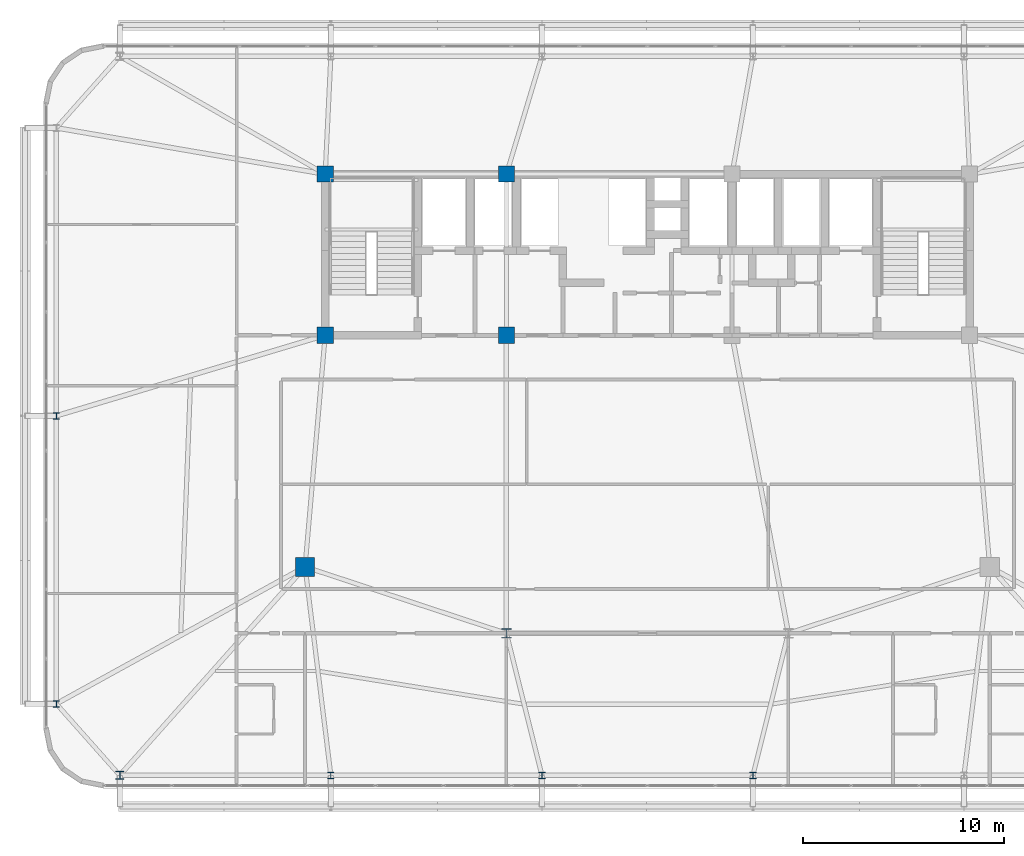
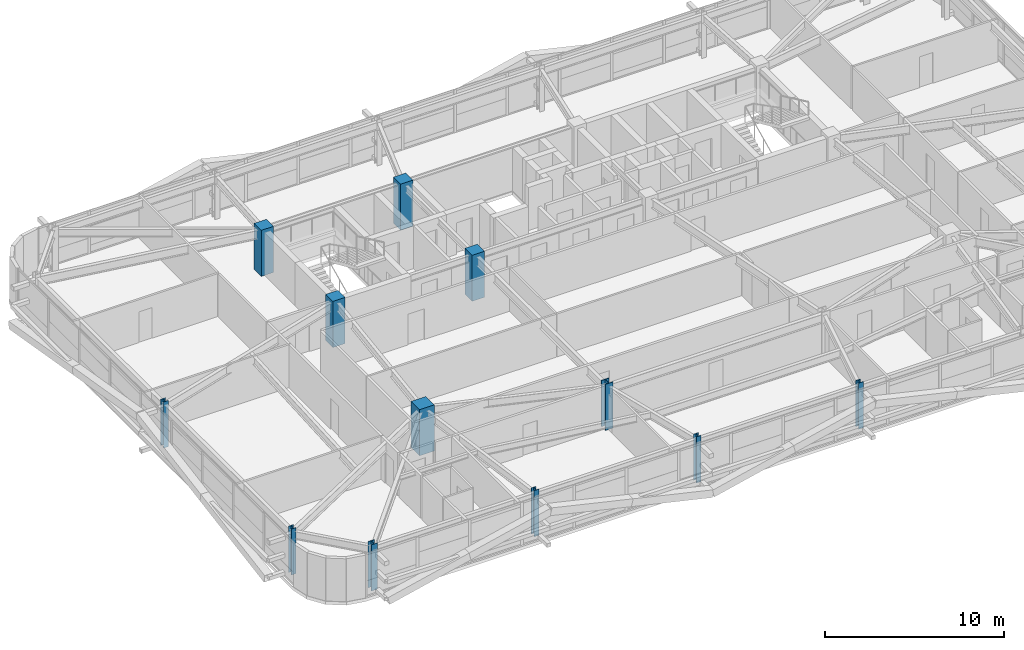
# One storey, part 1 of 59: 12 columns.
"""IFC4 building model written with IfcOpenShell, lengths in metres."""

import ifcopenshell
import ifcopenshell.guid

model = None  # the IFC model being written
_history = None  # IfcOwnerHistory: only IFC2X3 demands one
_inside = {}  # id of a spatial element -> (the spatial element, [elements in it])
_under = {}  # id of a project, library or spatial element -> (it, [spatial elements below it])
_declared = {}  # id of a project -> (the project, [libraries it declares])
_typed = {}  # id of a type object -> (the type object, [elements of that type])
_made_of = {}  # id of a material, layer set ... -> (it, [elements and type objects made of it])


def new_model(schema):
    """Start an empty IFC model of exactly this schema.

    Asked for "IFC4X3", IfcOpenShell would pick the latest addendum, in which some entities
    have other attributes; the version numbers below select the first issue.
    IFC2X3 requires an IfcOwnerHistory on every rooted entity: one is made here for all.
    """
    global model, _history
    if schema == "IFC4X3":
        model = ifcopenshell.file(schema_version=(4, 3, 0, 0))
    else:
        model = ifcopenshell.file(schema=schema)
    _inside.clear()
    _under.clear()
    _declared.clear()
    _typed.clear()
    _made_of.clear()
    _history = None
    if model.schema == "IFC2X3":
        org = make("IfcOrganization", Name="unknown")
        user = make(
            "IfcPersonAndOrganization",
            ThePerson=make("IfcPerson", FamilyName="unknown"),
            TheOrganization=org,
        )
        app = make(
            "IfcApplication",
            ApplicationDeveloper=org,
            Version="unknown",
            ApplicationFullName="unknown",
            ApplicationIdentifier="unknown",
        )
        _history = make(
            "IfcOwnerHistory",
            OwningUser=user,
            OwningApplication=app,
            ChangeAction="ADDED",
            CreationDate=0,
        )
    return model


def make(cls, **values):
    """One entity of the class cls with the attributes given. An attribute that is None is left unset."""
    return model.create_entity(
        cls, **{name: value for name, value in values.items() if value is not None}
    )


def rooted(cls, **values):
    """An entity with a GlobalId (a new one), such as an element, a storey or a relation."""
    return make(cls, GlobalId=ifcopenshell.guid.new(), OwnerHistory=_history, **values)


def si_unit(unit_type, name, prefix=None):
    """IfcSIUnit, for example si_unit("LENGTHUNIT", "METRE", prefix="MILLI")."""
    return make("IfcSIUnit", UnitType=unit_type, Prefix=prefix, Name=name)


def assignment(units):
    """IfcUnitAssignment: the units of a project."""
    return None if units is None else make("IfcUnitAssignment", Units=units)


def point(xyz):
    """IfcCartesianPoint."""
    return None if xyz is None else make("IfcCartesianPoint", Coordinates=xyz)


def direction(xyz):
    """IfcDirection."""
    return None if xyz is None else make("IfcDirection", DirectionRatios=xyz)


def frame(location, z_axis=None, x_axis=None):
    """IfcAxis2Placement3D, a coordinate frame: its origin and axes. An axis left out is left unset."""
    return make(
        "IfcAxis2Placement3D",
        Location=point(location),
        Axis=direction(z_axis),
        RefDirection=direction(x_axis),
    )


def frame_2d(location, x_axis=None):
    """IfcAxis2Placement2D, a coordinate frame in the plane: its origin and x axis."""
    return make(
        "IfcAxis2Placement2D", Location=point(location), RefDirection=direction(x_axis)
    )


def origin():
    """The frame at (0, 0, 0) with its axes left unset."""
    return frame((0.0, 0.0, 0.0))


def origin_2d():
    """The frame at (0, 0) in the plane with its x axis left unset."""
    return frame_2d((0.0, 0.0))


def place(relative_to, where):
    """IfcLocalPlacement: puts the frame where relative to a parent placement (None: the world)."""
    return make(
        "IfcLocalPlacement", PlacementRelTo=relative_to, RelativePlacement=where
    )


def context(
    kind, dimensions, precision=None, world=None, true_north=None, identifier=None
):
    """IfcGeometricRepresentationContext, for example the 3D "Model" context."""
    return make(
        "IfcGeometricRepresentationContext",
        ContextIdentifier=identifier,
        ContextType=kind,
        CoordinateSpaceDimension=dimensions,
        Precision=precision,
        WorldCoordinateSystem=world,
        TrueNorth=true_north,
    )


def subcontext(parent, identifier, kind, view, scale=None):
    """IfcGeometricRepresentationSubContext, for example "Body" below "Model"."""
    return make(
        "IfcGeometricRepresentationSubContext",
        ContextIdentifier=identifier,
        ContextType=kind,
        ParentContext=parent,
        TargetScale=scale,
        TargetView=view,
    )


def project(units=None, contexts=None):
    """IfcProject with its units and contexts."""
    return rooted(
        "IfcProject",
        Name="project",
        RepresentationContexts=contexts,
        UnitsInContext=assignment(units),
    )


def spatial(cls, under=None, at=None, **own):
    """A site, building, storey or space (cls), placed at a placement, below another one or the project."""
    s = rooted(cls, ObjectPlacement=at, **own)
    if under is not None:
        _under.setdefault(under.id(), (under, []))[1].append(s)
    return s


def profile(cls, at=None, kind="AREA", **sizes):
    """A parametric profile (cls). Its sizes go by their IFC names, for example OverallWidth=200.0."""
    return make(cls, ProfileType=kind, Position=at, **sizes)


def rectangle(**sizes):
    """IfcRectangleProfileDef."""
    return profile("IfcRectangleProfileDef", **sizes)


def i_section(**sizes):
    """IfcIShapeProfileDef."""
    return profile("IfcIShapeProfileDef", **sizes)


def extrude(swept, where, along, depth):
    """IfcExtrudedAreaSolid: the profile swept, set in the frame where, extruded along a direction by depth."""
    return make(
        "IfcExtrudedAreaSolid",
        SweptArea=swept,
        Position=where,
        ExtrudedDirection=direction(along),
        Depth=depth,
    )


def shape(context_of_items, identifier, shape_type, items):
    """IfcShapeRepresentation: the items that make up one representation, for example the "Body"."""
    return make(
        "IfcShapeRepresentation",
        ContextOfItems=context_of_items,
        RepresentationIdentifier=identifier,
        RepresentationType=shape_type,
        Items=items,
    )


def source(mapping_origin, context_of_items, identifier, shape_type, items):
    """IfcRepresentationMap: a shape defined once, which mapped items show again and again."""
    return make(
        "IfcRepresentationMap",
        MappingOrigin=mapping_origin,
        MappedRepresentation=shape(context_of_items, identifier, shape_type, items),
    )


def transform(
    local_origin,
    x_axis=None,
    y_axis=None,
    z_axis=None,
    scale=None,
    scale2=None,
    scale3=None,
    uniform=True,
):
    """IfcCartesianTransformationOperator3D, or its non-uniform kind. x_axis, y_axis, z_axis: its Axis1, 2, 3."""
    if uniform:
        return make(
            "IfcCartesianTransformationOperator3D",
            Axis1=direction(x_axis),
            Axis2=direction(y_axis),
            LocalOrigin=point(local_origin),
            Scale=scale,
            Axis3=direction(z_axis),
        )
    return make(
        "IfcCartesianTransformationOperator3DnonUniform",
        Axis1=direction(x_axis),
        Axis2=direction(y_axis),
        LocalOrigin=point(local_origin),
        Scale=scale,
        Axis3=direction(z_axis),
        Scale2=scale2,
        Scale3=scale3,
    )


def mapped(mapping_source, mapping_target):
    """IfcMappedItem: shows the shape of a source again, moved by a transform."""
    return make(
        "IfcMappedItem", MappingSource=mapping_source, MappingTarget=mapping_target
    )


def material(Name=None, Category=None):
    """IfcMaterial."""
    return make("IfcMaterial", Name=Name, Category=Category)


def material_profile(
    of_material, cross_section, Name=None, Category=None, Priority=None
):
    """IfcMaterialProfile: a cross section and its material."""
    return make(
        "IfcMaterialProfile",
        Name=Name,
        Material=of_material,
        Profile=cross_section,
        Priority=Priority,
        Category=Category,
    )


def profile_set(profiles, Name=None, composite=None):
    """IfcMaterialProfileSet."""
    return make(
        "IfcMaterialProfileSet",
        Name=Name,
        MaterialProfiles=profiles,
        CompositeProfile=composite,
    )


def made_of(thing, what):
    """Note that an element or type object is made of a material, layer set ...; save() writes the relation."""
    if what is not None:
        _made_of.setdefault(what.id(), (what, []))[1].append(thing)
    return thing


def type_object(cls, material=None, **own):
    """A type object (cls), such as IfcWallType, which elements share."""
    return made_of(rooted(cls, **own), material)


def element(
    cls,
    number,
    at=None,
    inside=None,
    cuts=None,
    type_object=None,
    material=None,
    context=None,
    identifier="Body",
    shape_type=None,
    held_by="IfcProductDefinitionShape",
    body=None,
    shapes=None,
    **own,
):
    """One element of the class cls, such as IfcWall. Its Tag is "e" and its number.

    at: its placement. inside: the storey or other place that contains it. cuts: it is an
    opening in that element (IfcRelVoidsElement). A single representation is given by context,
    identifier, shape_type and body (its items); several are given by shapes. held_by: the class
    of the entity that holds the representations. save() writes the other relations.
    """
    e = rooted(cls, Tag="e%d" % number, ObjectPlacement=at, **own)
    if body is not None:
        shapes = [shape(context, identifier, shape_type, body)]
    if shapes is not None:
        e.Representation = make(held_by, Representations=shapes)
    if inside is not None:
        _inside.setdefault(inside.id(), (inside, []))[1].append(e)
    if cuts is not None:
        rooted(
            "IfcRelVoidsElement", RelatingBuildingElement=cuts, RelatedOpeningElement=e
        )
    if type_object is not None:
        _typed.setdefault(type_object.id(), (type_object, []))[1].append(e)
    return made_of(e, material)


def aggregate(whole, parts):
    """IfcRelAggregates: a whole, such as a stair, and the parts it consists of."""
    return rooted("IfcRelAggregates", RelatingObject=whole, RelatedObjects=parts)


def save(model, path):
    """Write the relations noted so far, then the file.

    IfcRelAggregates (storeys below a building ...), IfcRelContainedInSpatialStructure (elements
    in a storey), IfcRelDefinesByType, IfcRelAssociatesMaterial and IfcRelDeclares: one each for
    every whole, place, type object, material and project.
    """
    for whole, parts in _under.values():
        aggregate(whole, parts)
    for where, things in _inside.values():
        rooted(
            "IfcRelContainedInSpatialStructure",
            RelatedElements=things,
            RelatingStructure=where,
        )
    for kind, things in _typed.values():
        rooted("IfcRelDefinesByType", RelatedObjects=things, RelatingType=kind)
    for what, things in _made_of.values():
        rooted("IfcRelAssociatesMaterial", RelatedObjects=things, RelatingMaterial=what)
    for by, libraries in _declared.values():
        rooted("IfcRelDeclares", RelatingContext=by, RelatedDefinitions=libraries)
    model.write(path)


model = new_model("IFC4")

# Units and contexts
model_context = context("Model", 3, precision=1e-05, world=origin(), true_north=direction((0.0, 1.0)))
body_context = subcontext(model_context, "Body", "Model", "MODEL_VIEW")
ifc_project = project(units=[si_unit("LENGTHUNIT", "METRE"), si_unit("AREAUNIT", "SQUARE_METRE"), si_unit("VOLUMEUNIT", "CUBIC_METRE"), si_unit("PLANEANGLEUNIT", "RADIAN"), si_unit("MASSUNIT", "GRAM", prefix="KILO")], contexts=[model_context])

# Site, building, storey
site_placement = place(None, origin())
site = spatial("IfcSite", under=ifc_project, at=site_placement, CompositionType="ELEMENT")
building_placement = place(site_placement, origin())
building = spatial("IfcBuilding", under=site, at=building_placement, Name="Taldren Reach Tower", CompositionType="ELEMENT")
storey_placement = place(building_placement, frame((0.0, 0.0, 29.39990234375)))
storey = spatial("IfcBuildingStorey", under=building, at=storey_placement, Name="L08", CompositionType="ELEMENT", Elevation=29.39990234375)

# Columns
ifc_material_1 = material(Name="Concrete S65 (65 MPa)", Category="concrete")
ifc_material_profile_1 = material_profile(ifc_material_1, rectangle(XDim=0.800048828125, YDim=0.800048828125, at=origin_2d()), Name="RC-800x800")
ifc_profile_set_1 = profile_set([ifc_material_profile_1], Name="Concrete S65 (65 MPa)")
column_type_1 = type_object("IfcColumnType", Name="COL-RC800", PredefinedType="COLUMN", material=ifc_profile_set_1)
shared_shape_1 = source(origin(), body_context, "Body", "SweptSolid", [
    extrude(rectangle(XDim=0.800048828125, YDim=0.800048828125, at=origin_2d()), origin(), (0.0, 0.0, 1.0), 3.150146484375),
])
for number, where, z_axis, x_axis, name in (
    (1, (19.0, 24.0, 0.0), (0.0, 0.0, 1.0), (1.0, 0.0, 0.0), "Mega column MC-C1 L08"),
    (2, (28.0, 24.0, 0.0), (0.0, 0.0, 1.0), (1.0, 0.0, 0.0), "Mega column MC-C2 L08"),
    (3, (19.0, 32.0, 0.0), (0.0, 0.0, 1.0), (1.0, 0.0, 0.0), "Mega column MC-C5 L08"),
    (4, (28.0, 32.0, 0.0), (0.0, 0.0, 1.0), (1.0, 0.0, 0.0), "Mega column MC-C6 L08"),
):
    element("IfcColumn", number, at=place(storey_placement, frame(where, z_axis=z_axis, x_axis=x_axis)), inside=storey, type_object=column_type_1, Name=name, PredefinedType="COLUMN", context=body_context, shape_type="MappedRepresentation", body=[
        mapped(shared_shape_1, transform((0.0, 0.0, 0.0), scale=1.0)),
    ])
ifc_material_2 = material(Name="Steel Gr 350 (350PLUS)", Category="steel")
ifc_material_profile_2 = material_profile(ifc_material_2, i_section(OverallWidth=0.5, OverallDepth=0.47998046875, WebThickness=0.028076171875, FlangeThickness=0.0439453125, at=origin_2d()), Name="500WC440")
ifc_profile_set_2 = profile_set([ifc_material_profile_2], Name="Steel Gr 350 (350PLUS)")
column_type_2 = type_object("IfcColumnType", Name="COL-WC500A", PredefinedType="COLUMN", material=ifc_profile_set_2)
shared_shape_2 = source(origin(), body_context, "Body", "SweptSolid", [
    extrude(i_section(OverallWidth=0.5, OverallDepth=0.47998046875, WebThickness=0.028076171875, FlangeThickness=0.0439453125, at=origin_2d()), origin(), (0.0, 0.0, 1.0), 3.150146484375),
])
column_1_placement = place(storey_placement, frame((28.0, 9.199951171875, 0.0), z_axis=(0.0, 0.0, 1.0), x_axis=(1.0, 0.0, 0.0)))
element("IfcColumn", 5, at=column_1_placement, inside=storey, type_object=column_type_2, Name="Mega column MC-PJW L08", PredefinedType="COLUMN", context=body_context, shape_type="MappedRepresentation", body=[
    mapped(shared_shape_2, transform((0.0, 0.0, 0.0), scale=1.0)),
])
ifc_material_3 = material(Name="Concrete S80 (80 MPa)", Category="concrete")
ifc_material_profile_3 = material_profile(ifc_material_3, rectangle(XDim=0.949951171875, YDim=0.949951171875, at=origin_2d()), Name="RC-950x950")
ifc_profile_set_3 = profile_set([ifc_material_profile_3], Name="Concrete S80 (80 MPa)")
column_type_3 = type_object("IfcColumnType", Name="COL-RC950", PredefinedType="COLUMN", material=ifc_profile_set_3)
shared_shape_3 = source(origin(), body_context, "Body", "SweptSolid", [
    extrude(rectangle(XDim=0.949951171875, YDim=0.949951171875, at=origin_2d()), origin(), (0.0, 0.0, 1.0), 3.150146484375),
])
column_2_placement = place(storey_placement, frame((18.0, 12.5, 0.0), z_axis=(0.0, 0.0, 1.0), x_axis=(1.0, 0.0, 0.0)))
element("IfcColumn", 6, at=column_2_placement, inside=storey, type_object=column_type_3, Name="Mega column MC-SW L08", PredefinedType="COLUMN", context=body_context, shape_type="MappedRepresentation", body=[
    mapped(shared_shape_3, transform((0.0, 0.0, 0.0), scale=1.0)),
])
ifc_material_profile_4 = material_profile(ifc_material_2, i_section(OverallWidth=0.39990234375, OverallDepth=0.39599609375, WebThickness=0.02197265625, FlangeThickness=0.033935546875, at=origin_2d()), Name="400WC270")
ifc_profile_set_4 = profile_set([ifc_material_profile_4], Name="Steel Gr 350 (350PLUS)")
column_type_4 = type_object("IfcColumnType", Name="COL-WC400", PredefinedType="COLUMN", material=ifc_profile_set_4)
shared_shape_4 = source(origin(), body_context, "Body", "SweptSolid", [
    extrude(i_section(OverallWidth=0.39990234375, OverallDepth=0.39599609375, WebThickness=0.02197265625, FlangeThickness=0.033935546875, at=origin_2d()), origin(), (0.0, 0.0, 1.0), 3.150146484375),
])
column_3_placement = place(storey_placement, frame((8.800048828125, 2.14990234375, 0.0), z_axis=(0.0, 0.0, 1.0), x_axis=(1.0, 0.0, 0.0)))
element("IfcColumn", 7, at=column_3_placement, inside=storey, type_object=column_type_4, Name="Block B1 perimeter column S1 L08", PredefinedType="COLUMN", context=body_context, shape_type="MappedRepresentation", body=[
    mapped(shared_shape_4, transform((0.0, 0.0, 0.0), scale=1.0)),
])
ifc_material_profile_5 = material_profile(ifc_material_2, i_section(OverallWidth=0.31103515625, OverallDepth=0.326904296875, WebThickness=0.015625, FlangeThickness=0.02490234375, at=origin_2d()), Name="310UC158")
ifc_profile_set_5 = profile_set([ifc_material_profile_5], Name="Steel Gr 350 (350PLUS)")
column_type_5 = type_object("IfcColumnType", Name="COL-UC310A", PredefinedType="COLUMN", material=ifc_profile_set_5)
shared_shape_5 = source(origin(), body_context, "Body", "SweptSolid", [
    extrude(i_section(OverallWidth=0.31103515625, OverallDepth=0.326904296875, WebThickness=0.015625, FlangeThickness=0.02490234375, at=origin_2d()), origin(), (0.0, 0.0, 1.0), 3.150146484375),
])
for number, where, z_axis, x_axis, name in (
    (8, (19.280029296875, 2.14990234375, 0.0), (0.0, 0.0, 1.0), (1.0, 0.0, 0.0), "Block B1 perimeter column S2 L08"),
    (9, (29.760009765625, 2.14990234375, 0.0), (0.0, 0.0, 1.0), (1.0, 0.0, 0.0), "Block B1 perimeter column S3 L08"),
    (10, (40.239990234375, 2.14990234375, 0.0), (0.0, 0.0, 1.0), (1.0, 0.0, 0.0), "Block B1 perimeter column S4 L08"),
    (11, (5.64990234375, 5.699951171875, 0.0), (0.0, 0.0, 1.0), (1.0, 0.0, 0.0), "Block B1 perimeter column W1 L08"),
    (12, (5.64990234375, 20.0, 0.0), (0.0, 0.0, 1.0), (1.0, 0.0, 0.0), "Block B1 perimeter column W2 L08"),
):
    element("IfcColumn", number, at=place(storey_placement, frame(where, z_axis=z_axis, x_axis=x_axis)), inside=storey, type_object=column_type_5, Name=name, PredefinedType="COLUMN", context=body_context, shape_type="MappedRepresentation", body=[
        mapped(shared_shape_5, transform((0.0, 0.0, 0.0), scale=1.0)),
    ])

save(model, "model.ifc")
